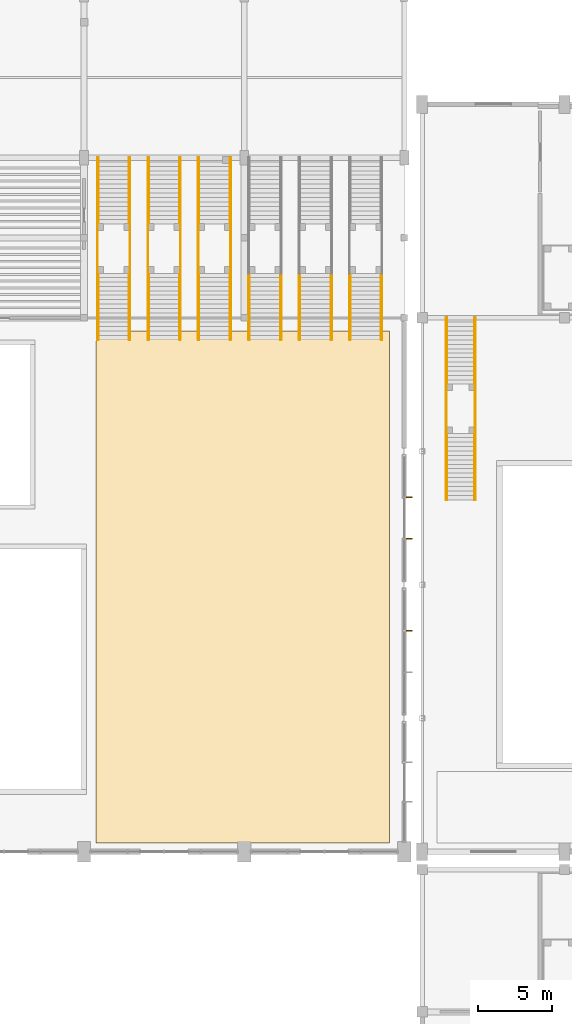
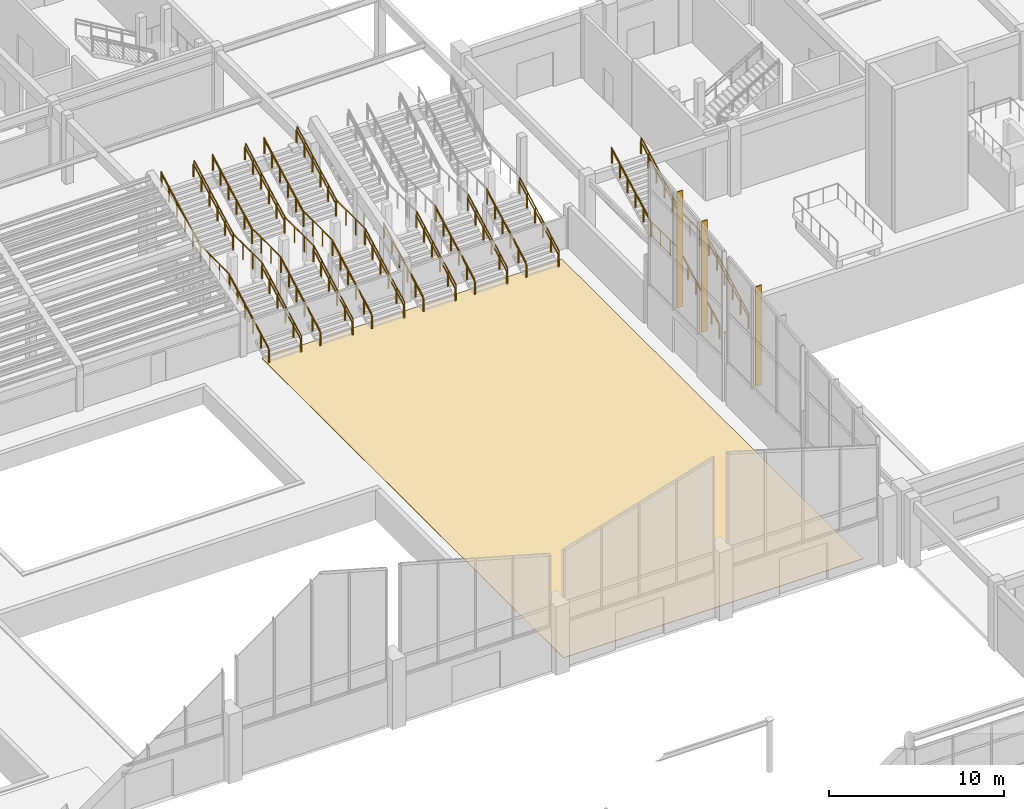
# One storey, part 77 of 82: 52 railings, 3 shading devices, 1 covering.
"""IFC4 building model written with IfcOpenShell, lengths in metres."""

from ifc_helpers import new_model, si_unit, direction, frame, origin, origin_2d, place, context, subcontext, project, spatial, polyline, rectangle, circle, outline, extrude, material, layer, layer_set, type_object, element, save


model = new_model("IFC4")

# Units and contexts
model_context = context("Model", 3, precision=1e-05, world=origin(), true_north=direction((0.0, 1.0)))
body_context = subcontext(model_context, "Body", "Model", "MODEL_VIEW")
ifc_project = project(units=[si_unit("LENGTHUNIT", "METRE"), si_unit("AREAUNIT", "SQUARE_METRE"), si_unit("VOLUMEUNIT", "CUBIC_METRE"), si_unit("PLANEANGLEUNIT", "RADIAN"), si_unit("MASSUNIT", "GRAM", prefix="KILO")], contexts=[model_context])

# Site, building, storey
site_placement = place(None, origin())
site = spatial("IfcSite", under=ifc_project, at=site_placement, CompositionType="ELEMENT")
building_placement = place(site_placement, origin())
building = spatial("IfcBuilding", under=site, at=building_placement, Name="Suirenkawa Promenade Aquatics Centre", CompositionType="ELEMENT")
storey_placement = place(building_placement, origin())
storey = spatial("IfcBuildingStorey", under=building, at=storey_placement, Name="L00", CompositionType="ELEMENT", Elevation=0.0)

# Covering
ifc_material_1 = material(Name="Vitrified anti-slip natatorium ceramic tile")
ifc_layer = layer(ifc_material_1, 0.02490234375, Name="Vitrified anti-slip natatorium ceramic tile")
ifc_layer_set = layer_set([ifc_layer], Name="Vitrified anti-slip natatorium ceramic tile")
covering_type = type_object("IfcCoveringType", Name="CVT-WET-TILE", PredefinedType="FLOORING", material=ifc_layer_set)
covering_placement = place(storey_placement, origin())
element("IfcCovering", 1, at=covering_placement, inside=storey, type_object=covering_type, Name="Floor finish FLR-01 FLR-003", PredefinedType="FLOORING", context=body_context, shape_type="SweptSolid", body=[
    extrude(outline(polyline([(134.0, 51.0), (153.800048828125, 51.0), (153.800048828125, 85.5), (134.0, 85.5), (134.0, 51.0)])), origin(), (0.0, 0.0, 1.0), 0.02490234375),
])

# Railings
ifc_material_2 = material(Name="Marine-grade stainless steel Grade 316L", Category="steel")
railing_type_1 = type_object("IfcRailingType", Name="RLT-GUARD-1120", PredefinedType="GUARDRAIL", material=ifc_material_2)
for number, where, name in (
    (2, (134.10498046875, 84.929931640625, 0.0), "Guardrail GRD-01 RL-0251"),
    (3, (136.294921875, 84.929931640625, 0.0), "Guardrail GRD-01 RL-0253"),
):
    element("IfcRailing", number, at=place(storey_placement, frame(where)), inside=storey, type_object=railing_type_1, Name=name, PredefinedType="GUARDRAIL", context=body_context, shape_type="SweptSolid", body=[
        extrude(circle(Radius=0.02392578125, at=origin_2d()), frame((0.0, 0.0, 1.09619140625), z_axis=(0.0, 0.882360891967, 0.470573327259), x_axis=(-1.0, 0.0, 0.0)), (0.0, 0.0, 1.0), 5.099853515625),
        extrude(circle(Radius=0.02099609375, at=origin_2d()), origin(), (0.0, 0.0, 1.0), 1.072021484375),
        extrude(circle(Radius=0.02099609375, at=origin_2d()), frame((0.0, 0.89990234375, 0.47998046875)), (0.0, 0.0, 1.0), 1.072021484375),
        extrude(circle(Radius=0.02099609375, at=origin_2d()), frame((0.0, 1.800048828125, 0.9599609375)), (0.0, 0.0, 1.0), 1.072021484375),
        extrude(circle(Radius=0.02099609375, at=origin_2d()), frame((0.0, 2.699951171875, 1.43994140625)), (0.0, 0.0, 1.0), 1.072021484375),
        extrude(circle(Radius=0.02099609375, at=origin_2d()), frame((0.0, 3.60009765625, 1.919921875)), (0.0, 0.0, 1.0), 1.072021484375),
        extrude(circle(Radius=0.02099609375, at=origin_2d()), frame((0.0, 4.5, 2.39990234375)), (0.0, 0.0, 1.0), 1.072021484375),
    ])
for number, where, name in (
    (4, (134.10498046875, 92.719970703125, 2.39990234375), "Guardrail GRD-01 RL-0255"),
    (5, (136.294921875, 92.719970703125, 2.39990234375), "Guardrail GRD-01 RL-0257"),
):
    element("IfcRailing", number, at=place(storey_placement, frame(where)), inside=storey, type_object=railing_type_1, Name=name, PredefinedType="GUARDRAIL", context=body_context, shape_type="SweptSolid", body=[
        extrude(circle(Radius=0.02392578125, at=origin_2d()), frame((0.0, 0.0, 1.09619140625), z_axis=(0.0, 0.882341014787, 0.470610596591), x_axis=(-1.0, 0.0, 0.0)), (0.0, 0.0, 1.0), 5.10009765625),
        extrude(circle(Radius=0.02099609375, at=origin_2d()), origin(), (0.0, 0.0, 1.0), 1.072021484375),
        extrude(circle(Radius=0.02099609375, at=origin_2d()), frame((0.0, 0.89990234375, 0.47998046875)), (0.0, 0.0, 1.0), 1.072021484375),
        extrude(circle(Radius=0.02099609375, at=origin_2d()), frame((0.0, 1.800048828125, 0.9599609375)), (0.0, 0.0, 1.0), 1.072021484375),
        extrude(circle(Radius=0.02099609375, at=origin_2d()), frame((0.0, 2.699951171875, 1.440185546875)), (0.0, 0.0, 1.0), 1.072021484375),
        extrude(circle(Radius=0.02099609375, at=origin_2d()), frame((0.0, 3.60009765625, 1.920166015625)), (0.0, 0.0, 1.0), 1.072021484375),
        extrude(circle(Radius=0.02099609375, at=origin_2d()), frame((0.0, 4.5, 2.400146484375)), (0.0, 0.0, 1.0), 1.072021484375),
    ])
for number, where, name in (
    (6, (134.10498046875, 89.405029296875, 2.39990234375), "Guardrail GRD-01 RL-0259"),
    (7, (136.294921875, 89.405029296875, 2.39990234375), "Guardrail GRD-01 RL-0260"),
):
    element("IfcRailing", number, at=place(storey_placement, frame(where)), inside=storey, type_object=railing_type_1, Name=name, PredefinedType="GUARDRAIL", context=body_context, shape_type="SweptSolid", body=[
        extrude(circle(Radius=0.02392578125, at=origin_2d()), frame((0.0, 0.0, 1.09619140625), z_axis=(0.0, 1.0, 0.0), x_axis=(-1.0, 0.0, 0.0)), (0.0, 0.0, 1.0), 3.340087890625),
        extrude(circle(Radius=0.02099609375, at=origin_2d()), origin(), (0.0, 0.0, 1.0), 1.072021484375),
        extrude(circle(Radius=0.02099609375, at=origin_2d()), frame((0.0, 1.11328125, 0.0)), (0.0, 0.0, 1.0), 1.072021484375),
        extrude(circle(Radius=0.02099609375, at=origin_2d()), frame((0.0, 2.226806640625, 0.0)), (0.0, 0.0, 1.0), 1.072021484375),
        extrude(circle(Radius=0.02099609375, at=origin_2d()), frame((0.0, 3.340087890625, 0.0)), (0.0, 0.0, 1.0), 1.072021484375),
    ])
for number, where, name in (
    (8, (137.5048828125, 84.929931640625, 0.0), "Guardrail GRD-01 RL-0261"),
    (9, (139.695068359375, 84.929931640625, 0.0), "Guardrail GRD-01 RL-0263"),
):
    element("IfcRailing", number, at=place(storey_placement, frame(where)), inside=storey, type_object=railing_type_1, Name=name, PredefinedType="GUARDRAIL", context=body_context, shape_type="SweptSolid", body=[
        extrude(circle(Radius=0.02392578125, at=origin_2d()), frame((0.0, 0.0, 1.09619140625), z_axis=(0.0, 0.882360891967, 0.470573327259), x_axis=(-1.0, 0.0, 0.0)), (0.0, 0.0, 1.0), 5.099853515625),
        extrude(circle(Radius=0.02099609375, at=origin_2d()), origin(), (0.0, 0.0, 1.0), 1.072021484375),
        extrude(circle(Radius=0.02099609375, at=origin_2d()), frame((0.0, 0.89990234375, 0.47998046875)), (0.0, 0.0, 1.0), 1.072021484375),
        extrude(circle(Radius=0.02099609375, at=origin_2d()), frame((0.0, 1.800048828125, 0.9599609375)), (0.0, 0.0, 1.0), 1.072021484375),
        extrude(circle(Radius=0.02099609375, at=origin_2d()), frame((0.0, 2.699951171875, 1.43994140625)), (0.0, 0.0, 1.0), 1.072021484375),
        extrude(circle(Radius=0.02099609375, at=origin_2d()), frame((0.0, 3.60009765625, 1.919921875)), (0.0, 0.0, 1.0), 1.072021484375),
        extrude(circle(Radius=0.02099609375, at=origin_2d()), frame((0.0, 4.5, 2.39990234375)), (0.0, 0.0, 1.0), 1.072021484375),
    ])
for number, where, name in (
    (10, (137.5048828125, 92.719970703125, 2.39990234375), "Guardrail GRD-01 RL-0265"),
    (11, (139.695068359375, 92.719970703125, 2.39990234375), "Guardrail GRD-01 RL-0267"),
):
    element("IfcRailing", number, at=place(storey_placement, frame(where)), inside=storey, type_object=railing_type_1, Name=name, PredefinedType="GUARDRAIL", context=body_context, shape_type="SweptSolid", body=[
        extrude(circle(Radius=0.02392578125, at=origin_2d()), frame((0.0, 0.0, 1.09619140625), z_axis=(0.0, 0.882341014787, 0.470610596591), x_axis=(-1.0, 0.0, 0.0)), (0.0, 0.0, 1.0), 5.10009765625),
        extrude(circle(Radius=0.02099609375, at=origin_2d()), origin(), (0.0, 0.0, 1.0), 1.072021484375),
        extrude(circle(Radius=0.02099609375, at=origin_2d()), frame((0.0, 0.89990234375, 0.47998046875)), (0.0, 0.0, 1.0), 1.072021484375),
        extrude(circle(Radius=0.02099609375, at=origin_2d()), frame((0.0, 1.800048828125, 0.9599609375)), (0.0, 0.0, 1.0), 1.072021484375),
        extrude(circle(Radius=0.02099609375, at=origin_2d()), frame((0.0, 2.699951171875, 1.440185546875)), (0.0, 0.0, 1.0), 1.072021484375),
        extrude(circle(Radius=0.02099609375, at=origin_2d()), frame((0.0, 3.60009765625, 1.920166015625)), (0.0, 0.0, 1.0), 1.072021484375),
        extrude(circle(Radius=0.02099609375, at=origin_2d()), frame((0.0, 4.5, 2.400146484375)), (0.0, 0.0, 1.0), 1.072021484375),
    ])
for number, where, name in (
    (12, (137.5048828125, 89.405029296875, 2.39990234375), "Guardrail GRD-01 RL-0269"),
    (13, (139.695068359375, 89.405029296875, 2.39990234375), "Guardrail GRD-01 RL-0270"),
):
    element("IfcRailing", number, at=place(storey_placement, frame(where)), inside=storey, type_object=railing_type_1, Name=name, PredefinedType="GUARDRAIL", context=body_context, shape_type="SweptSolid", body=[
        extrude(circle(Radius=0.02392578125, at=origin_2d()), frame((0.0, 0.0, 1.09619140625), z_axis=(0.0, 1.0, 0.0), x_axis=(-1.0, 0.0, 0.0)), (0.0, 0.0, 1.0), 3.340087890625),
        extrude(circle(Radius=0.02099609375, at=origin_2d()), origin(), (0.0, 0.0, 1.0), 1.072021484375),
        extrude(circle(Radius=0.02099609375, at=origin_2d()), frame((0.0, 1.11328125, 0.0)), (0.0, 0.0, 1.0), 1.072021484375),
        extrude(circle(Radius=0.02099609375, at=origin_2d()), frame((0.0, 2.226806640625, 0.0)), (0.0, 0.0, 1.0), 1.072021484375),
        extrude(circle(Radius=0.02099609375, at=origin_2d()), frame((0.0, 3.340087890625, 0.0)), (0.0, 0.0, 1.0), 1.072021484375),
    ])
for number, where, name in (
    (14, (140.905029296875, 84.929931640625, 0.0), "Guardrail GRD-01 RL-0271"),
    (15, (143.094970703125, 84.929931640625, 0.0), "Guardrail GRD-01 RL-0273"),
):
    element("IfcRailing", number, at=place(storey_placement, frame(where)), inside=storey, type_object=railing_type_1, Name=name, PredefinedType="GUARDRAIL", context=body_context, shape_type="SweptSolid", body=[
        extrude(circle(Radius=0.02392578125, at=origin_2d()), frame((0.0, 0.0, 1.09619140625), z_axis=(0.0, 0.882360891967, 0.470573327259), x_axis=(-1.0, 0.0, 0.0)), (0.0, 0.0, 1.0), 5.099853515625),
        extrude(circle(Radius=0.02099609375, at=origin_2d()), origin(), (0.0, 0.0, 1.0), 1.072021484375),
        extrude(circle(Radius=0.02099609375, at=origin_2d()), frame((0.0, 0.89990234375, 0.47998046875)), (0.0, 0.0, 1.0), 1.072021484375),
        extrude(circle(Radius=0.02099609375, at=origin_2d()), frame((0.0, 1.800048828125, 0.9599609375)), (0.0, 0.0, 1.0), 1.072021484375),
        extrude(circle(Radius=0.02099609375, at=origin_2d()), frame((0.0, 2.699951171875, 1.43994140625)), (0.0, 0.0, 1.0), 1.072021484375),
        extrude(circle(Radius=0.02099609375, at=origin_2d()), frame((0.0, 3.60009765625, 1.919921875)), (0.0, 0.0, 1.0), 1.072021484375),
        extrude(circle(Radius=0.02099609375, at=origin_2d()), frame((0.0, 4.5, 2.39990234375)), (0.0, 0.0, 1.0), 1.072021484375),
    ])
for number, where, name in (
    (16, (140.905029296875, 92.719970703125, 2.39990234375), "Guardrail GRD-01 RL-0275"),
    (17, (143.094970703125, 92.719970703125, 2.39990234375), "Guardrail GRD-01 RL-0277"),
):
    element("IfcRailing", number, at=place(storey_placement, frame(where)), inside=storey, type_object=railing_type_1, Name=name, PredefinedType="GUARDRAIL", context=body_context, shape_type="SweptSolid", body=[
        extrude(circle(Radius=0.02392578125, at=origin_2d()), frame((0.0, 0.0, 1.09619140625), z_axis=(0.0, 0.882341014787, 0.470610596591), x_axis=(-1.0, 0.0, 0.0)), (0.0, 0.0, 1.0), 5.10009765625),
        extrude(circle(Radius=0.02099609375, at=origin_2d()), origin(), (0.0, 0.0, 1.0), 1.072021484375),
        extrude(circle(Radius=0.02099609375, at=origin_2d()), frame((0.0, 0.89990234375, 0.47998046875)), (0.0, 0.0, 1.0), 1.072021484375),
        extrude(circle(Radius=0.02099609375, at=origin_2d()), frame((0.0, 1.800048828125, 0.9599609375)), (0.0, 0.0, 1.0), 1.072021484375),
        extrude(circle(Radius=0.02099609375, at=origin_2d()), frame((0.0, 2.699951171875, 1.440185546875)), (0.0, 0.0, 1.0), 1.072021484375),
        extrude(circle(Radius=0.02099609375, at=origin_2d()), frame((0.0, 3.60009765625, 1.920166015625)), (0.0, 0.0, 1.0), 1.072021484375),
        extrude(circle(Radius=0.02099609375, at=origin_2d()), frame((0.0, 4.5, 2.400146484375)), (0.0, 0.0, 1.0), 1.072021484375),
    ])
for number, where, name in (
    (18, (140.905029296875, 89.405029296875, 2.39990234375), "Guardrail GRD-01 RL-0279"),
    (19, (143.094970703125, 89.405029296875, 2.39990234375), "Guardrail GRD-01 RL-0280"),
):
    element("IfcRailing", number, at=place(storey_placement, frame(where)), inside=storey, type_object=railing_type_1, Name=name, PredefinedType="GUARDRAIL", context=body_context, shape_type="SweptSolid", body=[
        extrude(circle(Radius=0.02392578125, at=origin_2d()), frame((0.0, 0.0, 1.09619140625), z_axis=(0.0, 1.0, 0.0), x_axis=(-1.0, 0.0, 0.0)), (0.0, 0.0, 1.0), 3.340087890625),
        extrude(circle(Radius=0.02099609375, at=origin_2d()), origin(), (0.0, 0.0, 1.0), 1.072021484375),
        extrude(circle(Radius=0.02099609375, at=origin_2d()), frame((0.0, 1.11328125, 0.0)), (0.0, 0.0, 1.0), 1.072021484375),
        extrude(circle(Radius=0.02099609375, at=origin_2d()), frame((0.0, 2.226806640625, 0.0)), (0.0, 0.0, 1.0), 1.072021484375),
        extrude(circle(Radius=0.02099609375, at=origin_2d()), frame((0.0, 3.340087890625, 0.0)), (0.0, 0.0, 1.0), 1.072021484375),
    ])
for number, where, name in (
    (20, (144.304931640625, 84.929931640625, 0.0), "Guardrail GRD-01 RL-0281"),
    (21, (146.4951171875, 84.929931640625, 0.0), "Guardrail GRD-01 RL-0283"),
    (22, (147.705078125, 84.929931640625, 0.0), "Guardrail GRD-01 RL-0291"),
    (23, (149.89501953125, 84.929931640625, 0.0), "Guardrail GRD-01 RL-0293"),
    (24, (151.10498046875, 84.929931640625, 0.0), "Guardrail GRD-01 RL-0301"),
    (25, (153.294921875, 84.929931640625, 0.0), "Guardrail GRD-01 RL-0303"),
    (26, (157.6201171875, 74.1298828125, 0.0), "Guardrail GRD-01 RL-0331"),
    (27, (159.580078125, 74.1298828125, 0.0), "Guardrail GRD-01 RL-0333"),
):
    element("IfcRailing", number, at=place(storey_placement, frame(where)), inside=storey, type_object=railing_type_1, Name=name, PredefinedType="GUARDRAIL", context=body_context, shape_type="SweptSolid", body=[
        extrude(circle(Radius=0.02392578125, at=origin_2d()), frame((0.0, 0.0, 1.09619140625), z_axis=(0.0, 0.882360891967, 0.470573327259), x_axis=(-1.0, 0.0, 0.0)), (0.0, 0.0, 1.0), 5.099853515625),
        extrude(circle(Radius=0.02099609375, at=origin_2d()), origin(), (0.0, 0.0, 1.0), 1.072021484375),
        extrude(circle(Radius=0.02099609375, at=origin_2d()), frame((0.0, 0.89990234375, 0.47998046875)), (0.0, 0.0, 1.0), 1.072021484375),
        extrude(circle(Radius=0.02099609375, at=origin_2d()), frame((0.0, 1.800048828125, 0.9599609375)), (0.0, 0.0, 1.0), 1.072021484375),
        extrude(circle(Radius=0.02099609375, at=origin_2d()), frame((0.0, 2.699951171875, 1.43994140625)), (0.0, 0.0, 1.0), 1.072021484375),
        extrude(circle(Radius=0.02099609375, at=origin_2d()), frame((0.0, 3.60009765625, 1.919921875)), (0.0, 0.0, 1.0), 1.072021484375),
        extrude(circle(Radius=0.02099609375, at=origin_2d()), frame((0.0, 4.5, 2.39990234375)), (0.0, 0.0, 1.0), 1.072021484375),
    ])
for number, where, name in (
    (28, (157.6201171875, 81.919921875, 2.39990234375), "Guardrail GRD-01 RL-0335"),
    (29, (159.580078125, 81.919921875, 2.39990234375), "Guardrail GRD-01 RL-0337"),
):
    element("IfcRailing", number, at=place(storey_placement, frame(where)), inside=storey, type_object=railing_type_1, Name=name, PredefinedType="GUARDRAIL", context=body_context, shape_type="SweptSolid", body=[
        extrude(circle(Radius=0.02392578125, at=origin_2d()), frame((0.0, 0.0, 1.09619140625), z_axis=(0.0, 0.882341014787, 0.470610596591), x_axis=(-1.0, 0.0, 0.0)), (0.0, 0.0, 1.0), 5.10009765625),
        extrude(circle(Radius=0.02099609375, at=origin_2d()), origin(), (0.0, 0.0, 1.0), 1.072021484375),
        extrude(circle(Radius=0.02099609375, at=origin_2d()), frame((0.0, 0.89990234375, 0.47998046875)), (0.0, 0.0, 1.0), 1.072021484375),
        extrude(circle(Radius=0.02099609375, at=origin_2d()), frame((0.0, 1.800048828125, 0.9599609375)), (0.0, 0.0, 1.0), 1.072021484375),
        extrude(circle(Radius=0.02099609375, at=origin_2d()), frame((0.0, 2.699951171875, 1.440185546875)), (0.0, 0.0, 1.0), 1.072021484375),
        extrude(circle(Radius=0.02099609375, at=origin_2d()), frame((0.0, 3.60009765625, 1.920166015625)), (0.0, 0.0, 1.0), 1.072021484375),
        extrude(circle(Radius=0.02099609375, at=origin_2d()), frame((0.0, 4.5, 2.400146484375)), (0.0, 0.0, 1.0), 1.072021484375),
    ])
for number, where, name in (
    (30, (157.6201171875, 78.60498046875, 2.39990234375), "Guardrail GRD-01 RL-0339"),
    (31, (159.580078125, 78.60498046875, 2.39990234375), "Guardrail GRD-01 RL-0340"),
):
    element("IfcRailing", number, at=place(storey_placement, frame(where)), inside=storey, type_object=railing_type_1, Name=name, PredefinedType="GUARDRAIL", context=body_context, shape_type="SweptSolid", body=[
        extrude(circle(Radius=0.02392578125, at=origin_2d()), frame((0.0, 0.0, 1.09619140625), z_axis=(0.0, 1.0, 0.0), x_axis=(-1.0, 0.0, 0.0)), (0.0, 0.0, 1.0), 3.340087890625),
        extrude(circle(Radius=0.02099609375, at=origin_2d()), origin(), (0.0, 0.0, 1.0), 1.072021484375),
        extrude(circle(Radius=0.02099609375, at=origin_2d()), frame((0.0, 1.11328125, 0.0)), (0.0, 0.0, 1.0), 1.072021484375),
        extrude(circle(Radius=0.02099609375, at=origin_2d()), frame((0.0, 2.226806640625, 0.0)), (0.0, 0.0, 1.0), 1.072021484375),
        extrude(circle(Radius=0.02099609375, at=origin_2d()), frame((0.0, 3.340087890625, 0.0)), (0.0, 0.0, 1.0), 1.072021484375),
    ])
railing_type_2 = type_object("IfcRailingType", Name="RLT-HANDRAIL-900", PredefinedType="HANDRAIL", material=ifc_material_2)
for number, where, name in (
    (32, (134.155029296875, 84.929931640625, 0.0), "Handrail HRL-01 RL-0252"),
    (33, (136.2451171875, 84.929931640625, 0.0), "Handrail HRL-01 RL-0254"),
):
    element("IfcRailing", number, at=place(storey_placement, frame(where)), inside=storey, type_object=railing_type_2, Name=name, PredefinedType="HANDRAIL", context=body_context, shape_type="SweptSolid", body=[
        extrude(circle(Radius=0.02392578125, at=origin_2d()), frame((0.0, 0.0, 0.8759765625), z_axis=(0.0, 0.882360891967, 0.470573327259), x_axis=(-1.0, 0.0, 0.0)), (0.0, 0.0, 1.0), 5.099853515625),
        extrude(circle(Radius=0.02099609375, at=origin_2d()), origin(), (0.0, 0.0, 1.0), 0.851806640625),
        extrude(circle(Radius=0.02099609375, at=origin_2d()), frame((0.0, 0.89990234375, 0.47998046875)), (0.0, 0.0, 1.0), 0.851806640625),
        extrude(circle(Radius=0.02099609375, at=origin_2d()), frame((0.0, 1.800048828125, 0.9599609375)), (0.0, 0.0, 1.0), 0.851806640625),
        extrude(circle(Radius=0.02099609375, at=origin_2d()), frame((0.0, 2.699951171875, 1.43994140625)), (0.0, 0.0, 1.0), 0.851806640625),
        extrude(circle(Radius=0.02099609375, at=origin_2d()), frame((0.0, 3.60009765625, 1.919921875)), (0.0, 0.0, 1.0), 0.851806640625),
        extrude(circle(Radius=0.02099609375, at=origin_2d()), frame((0.0, 4.5, 2.39990234375)), (0.0, 0.0, 1.0), 0.851806640625),
    ])
for number, where, name in (
    (34, (134.155029296875, 92.719970703125, 2.39990234375), "Handrail HRL-01 RL-0256"),
    (35, (136.2451171875, 92.719970703125, 2.39990234375), "Handrail HRL-01 RL-0258"),
):
    element("IfcRailing", number, at=place(storey_placement, frame(where)), inside=storey, type_object=railing_type_2, Name=name, PredefinedType="HANDRAIL", context=body_context, shape_type="SweptSolid", body=[
        extrude(circle(Radius=0.02392578125, at=origin_2d()), frame((0.0, 0.0, 0.8759765625), z_axis=(0.0, 0.882341014787, 0.470610596591), x_axis=(-1.0, 0.0, 0.0)), (0.0, 0.0, 1.0), 5.10009765625),
        extrude(circle(Radius=0.02099609375, at=origin_2d()), origin(), (0.0, 0.0, 1.0), 0.851806640625),
        extrude(circle(Radius=0.02099609375, at=origin_2d()), frame((0.0, 0.89990234375, 0.47998046875)), (0.0, 0.0, 1.0), 0.851806640625),
        extrude(circle(Radius=0.02099609375, at=origin_2d()), frame((0.0, 1.800048828125, 0.9599609375)), (0.0, 0.0, 1.0), 0.851806640625),
        extrude(circle(Radius=0.02099609375, at=origin_2d()), frame((0.0, 2.699951171875, 1.440185546875)), (0.0, 0.0, 1.0), 0.851806640625),
        extrude(circle(Radius=0.02099609375, at=origin_2d()), frame((0.0, 3.60009765625, 1.920166015625)), (0.0, 0.0, 1.0), 0.851806640625),
        extrude(circle(Radius=0.02099609375, at=origin_2d()), frame((0.0, 4.5, 2.400146484375)), (0.0, 0.0, 1.0), 0.851806640625),
    ])
for number, where, name in (
    (36, (137.554931640625, 84.929931640625, 0.0), "Handrail HRL-01 RL-0262"),
    (37, (139.64501953125, 84.929931640625, 0.0), "Handrail HRL-01 RL-0264"),
):
    element("IfcRailing", number, at=place(storey_placement, frame(where)), inside=storey, type_object=railing_type_2, Name=name, PredefinedType="HANDRAIL", context=body_context, shape_type="SweptSolid", body=[
        extrude(circle(Radius=0.02392578125, at=origin_2d()), frame((0.0, 0.0, 0.8759765625), z_axis=(0.0, 0.882360891967, 0.470573327259), x_axis=(-1.0, 0.0, 0.0)), (0.0, 0.0, 1.0), 5.099853515625),
        extrude(circle(Radius=0.02099609375, at=origin_2d()), origin(), (0.0, 0.0, 1.0), 0.851806640625),
        extrude(circle(Radius=0.02099609375, at=origin_2d()), frame((0.0, 0.89990234375, 0.47998046875)), (0.0, 0.0, 1.0), 0.851806640625),
        extrude(circle(Radius=0.02099609375, at=origin_2d()), frame((0.0, 1.800048828125, 0.9599609375)), (0.0, 0.0, 1.0), 0.851806640625),
        extrude(circle(Radius=0.02099609375, at=origin_2d()), frame((0.0, 2.699951171875, 1.43994140625)), (0.0, 0.0, 1.0), 0.851806640625),
        extrude(circle(Radius=0.02099609375, at=origin_2d()), frame((0.0, 3.60009765625, 1.919921875)), (0.0, 0.0, 1.0), 0.851806640625),
        extrude(circle(Radius=0.02099609375, at=origin_2d()), frame((0.0, 4.5, 2.39990234375)), (0.0, 0.0, 1.0), 0.851806640625),
    ])
for number, where, name in (
    (38, (137.554931640625, 92.719970703125, 2.39990234375), "Handrail HRL-01 RL-0266"),
    (39, (139.64501953125, 92.719970703125, 2.39990234375), "Handrail HRL-01 RL-0268"),
):
    element("IfcRailing", number, at=place(storey_placement, frame(where)), inside=storey, type_object=railing_type_2, Name=name, PredefinedType="HANDRAIL", context=body_context, shape_type="SweptSolid", body=[
        extrude(circle(Radius=0.02392578125, at=origin_2d()), frame((0.0, 0.0, 0.8759765625), z_axis=(0.0, 0.882341014787, 0.470610596591), x_axis=(-1.0, 0.0, 0.0)), (0.0, 0.0, 1.0), 5.10009765625),
        extrude(circle(Radius=0.02099609375, at=origin_2d()), origin(), (0.0, 0.0, 1.0), 0.851806640625),
        extrude(circle(Radius=0.02099609375, at=origin_2d()), frame((0.0, 0.89990234375, 0.47998046875)), (0.0, 0.0, 1.0), 0.851806640625),
        extrude(circle(Radius=0.02099609375, at=origin_2d()), frame((0.0, 1.800048828125, 0.9599609375)), (0.0, 0.0, 1.0), 0.851806640625),
        extrude(circle(Radius=0.02099609375, at=origin_2d()), frame((0.0, 2.699951171875, 1.440185546875)), (0.0, 0.0, 1.0), 0.851806640625),
        extrude(circle(Radius=0.02099609375, at=origin_2d()), frame((0.0, 3.60009765625, 1.920166015625)), (0.0, 0.0, 1.0), 0.851806640625),
        extrude(circle(Radius=0.02099609375, at=origin_2d()), frame((0.0, 4.5, 2.400146484375)), (0.0, 0.0, 1.0), 0.851806640625),
    ])
for number, where, name in (
    (40, (140.955078125, 84.929931640625, 0.0), "Handrail HRL-01 RL-0272"),
    (41, (143.044921875, 84.929931640625, 0.0), "Handrail HRL-01 RL-0274"),
):
    element("IfcRailing", number, at=place(storey_placement, frame(where)), inside=storey, type_object=railing_type_2, Name=name, PredefinedType="HANDRAIL", context=body_context, shape_type="SweptSolid", body=[
        extrude(circle(Radius=0.02392578125, at=origin_2d()), frame((0.0, 0.0, 0.8759765625), z_axis=(0.0, 0.882360891967, 0.470573327259), x_axis=(-1.0, 0.0, 0.0)), (0.0, 0.0, 1.0), 5.099853515625),
        extrude(circle(Radius=0.02099609375, at=origin_2d()), origin(), (0.0, 0.0, 1.0), 0.851806640625),
        extrude(circle(Radius=0.02099609375, at=origin_2d()), frame((0.0, 0.89990234375, 0.47998046875)), (0.0, 0.0, 1.0), 0.851806640625),
        extrude(circle(Radius=0.02099609375, at=origin_2d()), frame((0.0, 1.800048828125, 0.9599609375)), (0.0, 0.0, 1.0), 0.851806640625),
        extrude(circle(Radius=0.02099609375, at=origin_2d()), frame((0.0, 2.699951171875, 1.43994140625)), (0.0, 0.0, 1.0), 0.851806640625),
        extrude(circle(Radius=0.02099609375, at=origin_2d()), frame((0.0, 3.60009765625, 1.919921875)), (0.0, 0.0, 1.0), 0.851806640625),
        extrude(circle(Radius=0.02099609375, at=origin_2d()), frame((0.0, 4.5, 2.39990234375)), (0.0, 0.0, 1.0), 0.851806640625),
    ])
for number, where, name in (
    (42, (140.955078125, 92.719970703125, 2.39990234375), "Handrail HRL-01 RL-0276"),
    (43, (143.044921875, 92.719970703125, 2.39990234375), "Handrail HRL-01 RL-0278"),
):
    element("IfcRailing", number, at=place(storey_placement, frame(where)), inside=storey, type_object=railing_type_2, Name=name, PredefinedType="HANDRAIL", context=body_context, shape_type="SweptSolid", body=[
        extrude(circle(Radius=0.02392578125, at=origin_2d()), frame((0.0, 0.0, 0.8759765625), z_axis=(0.0, 0.882341014787, 0.470610596591), x_axis=(-1.0, 0.0, 0.0)), (0.0, 0.0, 1.0), 5.10009765625),
        extrude(circle(Radius=0.02099609375, at=origin_2d()), origin(), (0.0, 0.0, 1.0), 0.851806640625),
        extrude(circle(Radius=0.02099609375, at=origin_2d()), frame((0.0, 0.89990234375, 0.47998046875)), (0.0, 0.0, 1.0), 0.851806640625),
        extrude(circle(Radius=0.02099609375, at=origin_2d()), frame((0.0, 1.800048828125, 0.9599609375)), (0.0, 0.0, 1.0), 0.851806640625),
        extrude(circle(Radius=0.02099609375, at=origin_2d()), frame((0.0, 2.699951171875, 1.440185546875)), (0.0, 0.0, 1.0), 0.851806640625),
        extrude(circle(Radius=0.02099609375, at=origin_2d()), frame((0.0, 3.60009765625, 1.920166015625)), (0.0, 0.0, 1.0), 0.851806640625),
        extrude(circle(Radius=0.02099609375, at=origin_2d()), frame((0.0, 4.5, 2.400146484375)), (0.0, 0.0, 1.0), 0.851806640625),
    ])
for number, where, name in (
    (44, (144.35498046875, 84.929931640625, 0.0), "Handrail HRL-01 RL-0282"),
    (45, (146.445068359375, 84.929931640625, 0.0), "Handrail HRL-01 RL-0284"),
    (46, (147.7548828125, 84.929931640625, 0.0), "Handrail HRL-01 RL-0292"),
    (47, (149.844970703125, 84.929931640625, 0.0), "Handrail HRL-01 RL-0294"),
    (48, (151.155029296875, 84.929931640625, 0.0), "Handrail HRL-01 RL-0302"),
    (49, (153.2451171875, 84.929931640625, 0.0), "Handrail HRL-01 RL-0304"),
    (50, (157.669921875, 74.1298828125, 0.0), "Handrail HRL-01 RL-0332"),
    (51, (159.530029296875, 74.1298828125, 0.0), "Handrail HRL-01 RL-0334"),
):
    element("IfcRailing", number, at=place(storey_placement, frame(where)), inside=storey, type_object=railing_type_2, Name=name, PredefinedType="HANDRAIL", context=body_context, shape_type="SweptSolid", body=[
        extrude(circle(Radius=0.02392578125, at=origin_2d()), frame((0.0, 0.0, 0.8759765625), z_axis=(0.0, 0.882360891967, 0.470573327259), x_axis=(-1.0, 0.0, 0.0)), (0.0, 0.0, 1.0), 5.099853515625),
        extrude(circle(Radius=0.02099609375, at=origin_2d()), origin(), (0.0, 0.0, 1.0), 0.851806640625),
        extrude(circle(Radius=0.02099609375, at=origin_2d()), frame((0.0, 0.89990234375, 0.47998046875)), (0.0, 0.0, 1.0), 0.851806640625),
        extrude(circle(Radius=0.02099609375, at=origin_2d()), frame((0.0, 1.800048828125, 0.9599609375)), (0.0, 0.0, 1.0), 0.851806640625),
        extrude(circle(Radius=0.02099609375, at=origin_2d()), frame((0.0, 2.699951171875, 1.43994140625)), (0.0, 0.0, 1.0), 0.851806640625),
        extrude(circle(Radius=0.02099609375, at=origin_2d()), frame((0.0, 3.60009765625, 1.919921875)), (0.0, 0.0, 1.0), 0.851806640625),
        extrude(circle(Radius=0.02099609375, at=origin_2d()), frame((0.0, 4.5, 2.39990234375)), (0.0, 0.0, 1.0), 0.851806640625),
    ])
for number, where, name in (
    (52, (157.669921875, 81.919921875, 2.39990234375), "Handrail HRL-01 RL-0336"),
    (53, (159.530029296875, 81.919921875, 2.39990234375), "Handrail HRL-01 RL-0338"),
):
    element("IfcRailing", number, at=place(storey_placement, frame(where)), inside=storey, type_object=railing_type_2, Name=name, PredefinedType="HANDRAIL", context=body_context, shape_type="SweptSolid", body=[
        extrude(circle(Radius=0.02392578125, at=origin_2d()), frame((0.0, 0.0, 0.8759765625), z_axis=(0.0, 0.882341014787, 0.470610596591), x_axis=(-1.0, 0.0, 0.0)), (0.0, 0.0, 1.0), 5.10009765625),
        extrude(circle(Radius=0.02099609375, at=origin_2d()), origin(), (0.0, 0.0, 1.0), 0.851806640625),
        extrude(circle(Radius=0.02099609375, at=origin_2d()), frame((0.0, 0.89990234375, 0.47998046875)), (0.0, 0.0, 1.0), 0.851806640625),
        extrude(circle(Radius=0.02099609375, at=origin_2d()), frame((0.0, 1.800048828125, 0.9599609375)), (0.0, 0.0, 1.0), 0.851806640625),
        extrude(circle(Radius=0.02099609375, at=origin_2d()), frame((0.0, 2.699951171875, 1.440185546875)), (0.0, 0.0, 1.0), 0.851806640625),
        extrude(circle(Radius=0.02099609375, at=origin_2d()), frame((0.0, 3.60009765625, 1.920166015625)), (0.0, 0.0, 1.0), 0.851806640625),
        extrude(circle(Radius=0.02099609375, at=origin_2d()), frame((0.0, 4.5, 2.400146484375)), (0.0, 0.0, 1.0), 0.851806640625),
    ])

# Shading devices
ifc_material_3 = material(Name="Anodised aluminium 6063-T6", Category="aluminium")
shading_device_type = type_object("IfcShadingDeviceType", Name="SDT-KOUSHI-400", PredefinedType="USERDEFINED", material=ifc_material_3)
shading_device_1_placement = place(storey_placement, frame((155.1220703125, 65.30029296875, 2.989990234375), z_axis=(0.0, 0.0, 1.0), x_axis=(1.0, 0.0, 0.0)))
element("IfcShadingDevice", 54, at=shading_device_1_placement, inside=storey, type_object=shading_device_type, Name="Vertical solar shading fin FN-01 FIN-0014", ObjectType="FIN", PredefinedType="USERDEFINED", context=body_context, shape_type="SweptSolid", body=[
    extrude(rectangle(XDim=0.39990234375, YDim=0.06005859375, at=origin_2d()), origin(), (0.0, 0.0, 1.0), 6.9404296875),
])
shading_device_2_placement = place(storey_placement, frame((155.1220703125, 74.30029296875, 2.989990234375), z_axis=(0.0, 0.0, 1.0), x_axis=(1.0, 0.0, 0.0)))
element("IfcShadingDevice", 55, at=shading_device_2_placement, inside=storey, type_object=shading_device_type, Name="Vertical solar shading fin FN-01 FIN-0016", ObjectType="FIN", PredefinedType="USERDEFINED", context=body_context, shape_type="SweptSolid", body=[
    extrude(rectangle(XDim=0.39990234375, YDim=0.06005859375, at=origin_2d()), origin(), (0.0, 0.0, 1.0), 8.1005859375),
])
shading_device_3_placement = place(storey_placement, frame((155.1220703125, 71.499755859375, 2.990234375), z_axis=(0.0, 0.0, 1.0), x_axis=(1.0, 0.0, 0.0)))
element("IfcShadingDevice", 56, at=shading_device_3_placement, inside=storey, type_object=shading_device_type, Name="Vertical solar shading fin FN-01 FIN-0017", ObjectType="FIN", PredefinedType="USERDEFINED", context=body_context, shape_type="SweptSolid", body=[
    extrude(rectangle(XDim=0.39990234375, YDim=0.06005859375, at=origin_2d()), origin(), (0.0, 0.0, 1.0), 7.739501953125),
])

save(model, "model.ifc")
